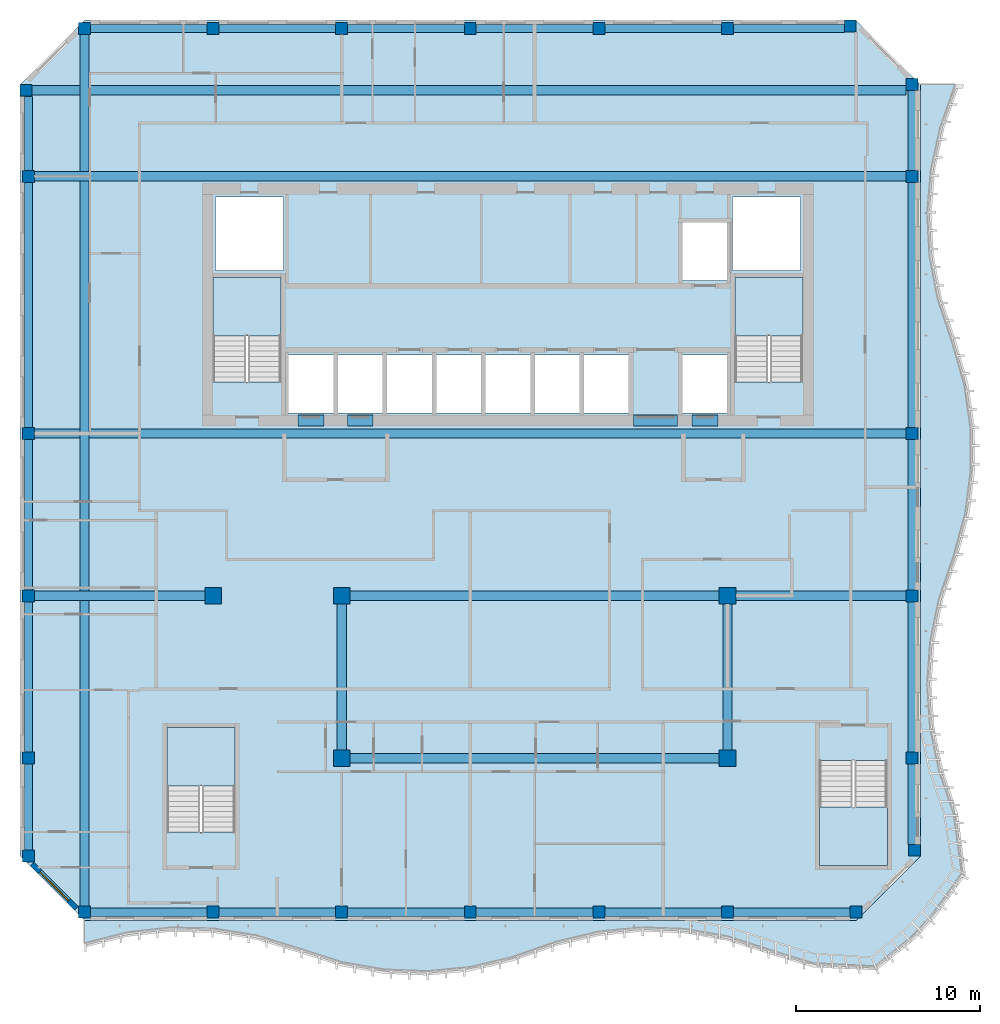
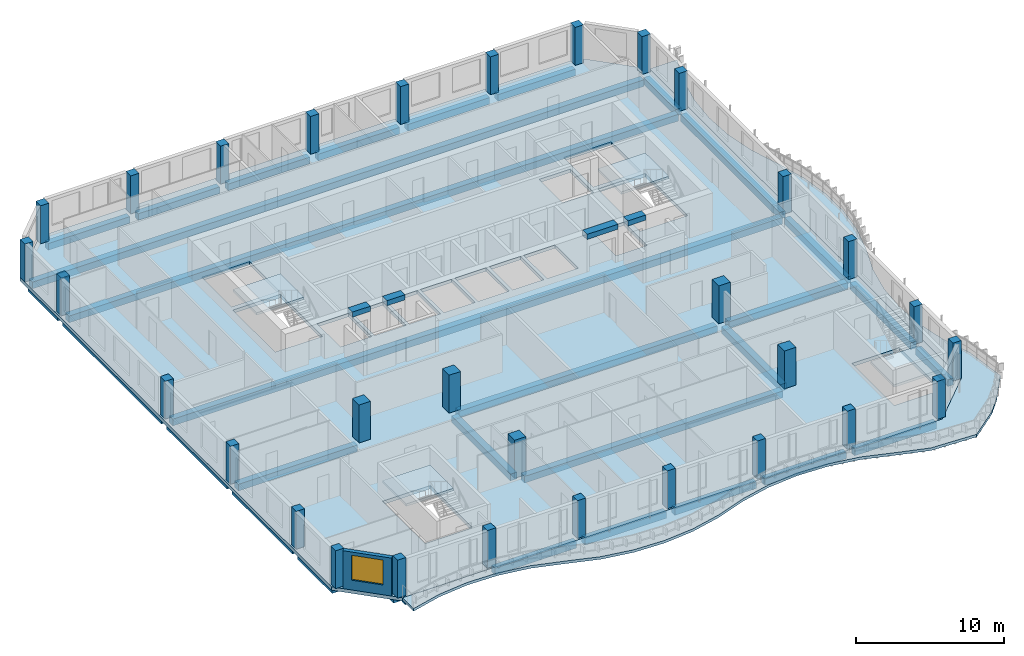
# One storey, part 1 of 16: 36 beams, 31 columns, 6 slabs, 1 wall, 1 window, 1 opening, 4 elements without a shape of their own.
"""IFC4 building model written with IfcOpenShell, lengths in metres."""

from ifc_helpers import new_model, si_unit, direction, frame, frame_2d, origin, origin_2d, place, context, subcontext, project, spatial, polyline, rectangle, outline, extrude, source, transform, mapped, material, layer, layer_set, material_profile, profile_set, type_object, element, fill, aggregate, save


model = new_model("IFC4")

# Units and contexts
model_context = context("Model", 3, precision=1e-05, world=origin(), true_north=direction((0.0, 1.0)))
body_context = subcontext(model_context, "Body", "Model", "MODEL_VIEW")
ifc_project = project(units=[si_unit("LENGTHUNIT", "METRE"), si_unit("AREAUNIT", "SQUARE_METRE"), si_unit("VOLUMEUNIT", "CUBIC_METRE"), si_unit("PLANEANGLEUNIT", "RADIAN"), si_unit("MASSUNIT", "GRAM", prefix="KILO")], contexts=[model_context])

# Site, building, storey
site_placement = place(None, origin())
site = spatial("IfcSite", under=ifc_project, at=site_placement, CompositionType="ELEMENT")
building_placement = place(site_placement, origin())
building = spatial("IfcBuilding", under=site, at=building_placement, Name="Kilnfold Tower and Market Hall", CompositionType="ELEMENT")
storey_placement = place(building_placement, frame((0.0, 0.0, 284.0)))
storey = spatial("IfcBuildingStorey", under=building, at=storey_placement, Name="L70", CompositionType="ELEMENT", Elevation=284.0)

# Columns
ifc_material_1 = material(Name="Concrete C60", Category="concrete")
ifc_material_profile_1 = material_profile(ifc_material_1, rectangle(XDim=0.64990234375, YDim=0.64990234375, at=origin_2d()), Name="RC 650x650")
ifc_profile_set_1 = profile_set([ifc_material_profile_1], Name="Concrete C60")
column_type_1 = type_object("IfcColumnType", Name="COLUMN 650X650 C60", PredefinedType="COLUMN", material=ifc_profile_set_1)
shared_shape_1 = source(origin(), body_context, "Body", "SweptSolid", [
    extrude(rectangle(XDim=0.64990234375, YDim=0.64990234375, at=origin_2d()), origin(), (0.0, 0.0, 1.0), 3.1201171875),
])
for number, where, z_axis, x_axis, name in (
    (1, (-25.181884765625, 26.681884765625, 0.0), (0.0, 0.0, 1.0), (1.0, 0.0, 0.0), "Column C-B8-1G"),
    (2, (-25.050048828125, -15.0, 0.0), (0.0, 0.0, 1.0), (1.0, 0.0, 0.0), "Column C-B8-1B"),
    (3, (-25.050048828125, -9.666748046875, 0.0), (0.0, 0.0, 1.0), (1.0, 0.0, 0.0), "Column C-B8-1C"),
    (4, (-25.050048828125, -0.833251953125, 0.0), (0.0, 0.0, 1.0), (1.0, 0.0, 0.0), "Column C-B8-1D"),
    (5, (-25.050048828125, 8.0, 0.0), (0.0, 0.0, 1.0), (1.0, 0.0, 0.0), "Column C-B8-1E"),
    (6, (-25.050048828125, 22.0, 0.0), (0.0, 0.0, 1.0), (1.0, 0.0, 0.0), "Column C-B8-1F"),
    (7, (-22.0, -18.050048828125, 0.0), (0.0, 0.0, 1.0), (1.0, 0.0, 0.0), "Column C-B8-2A"),
    (8, (-22.0, 30.050048828125, 0.0), (0.0, 0.0, 1.0), (1.0, 0.0, 0.0), "Column C-B8-2H"),
    (9, (-15.0, -18.050048828125, 0.0), (0.0, 0.0, 1.0), (1.0, 0.0, 0.0), "Column C-B8-3A"),
    (10, (-15.0, 30.050048828125, 0.0), (0.0, 0.0, 1.0), (1.0, 0.0, 0.0), "Column C-B8-3H"),
    (11, (-8.0, -18.050048828125, 0.0), (0.0, 0.0, 1.0), (1.0, 0.0, 0.0), "Column C-B8-4A"),
    (12, (-8.0, 30.050048828125, 0.0), (0.0, 0.0, 1.0), (1.0, 0.0, 0.0), "Column C-B8-4H"),
    (13, (-1.0, -18.050048828125, 0.0), (0.0, 0.0, 1.0), (1.0, 0.0, 0.0), "Column C-B8-5A"),
    (14, (-1.0, 30.050048828125, 0.0), (0.0, 0.0, 1.0), (1.0, 0.0, 0.0), "Column C-B8-5H"),
    (15, (6.0, -18.050048828125, 0.0), (0.0, 0.0, 1.0), (1.0, 0.0, 0.0), "Column C-B8-6A"),
    (16, (6.0, 30.050048828125, 0.0), (0.0, 0.0, 1.0), (1.0, 0.0, 0.0), "Column C-B8-6H"),
    (17, (13.0, -18.050048828125, 0.0), (0.0, 0.0, 1.0), (1.0, 0.0, 0.0), "Column C-B8-7A"),
    (18, (13.0, 30.050048828125, 0.0), (0.0, 0.0, 1.0), (1.0, 0.0, 0.0), "Column C-B8-7H"),
    (19, (19.681884765625, 30.181884765625, 0.0), (0.0, 0.0, 1.0), (1.0, 0.0, 0.0), "Column C-B8-8H"),
    (20, (20.0, -18.050048828125, 0.0), (0.0, 0.0, 1.0), (1.0, 0.0, 0.0), "Column C-B8-8A"),
    (21, (23.050048828125, -9.666748046875, 0.0), (0.0, 0.0, 1.0), (1.0, 0.0, 0.0), "Column C-B8-9C"),
    (22, (23.050048828125, -0.833251953125, 0.0), (0.0, 0.0, 1.0), (1.0, 0.0, 0.0), "Column C-B8-9D"),
    (23, (23.050048828125, 8.0, 0.0), (0.0, 0.0, 1.0), (1.0, 0.0, 0.0), "Column C-B8-9E"),
    (24, (23.050048828125, 22.0, 0.0), (0.0, 0.0, 1.0), (1.0, 0.0, 0.0), "Column C-B8-9F"),
    (25, (23.050048828125, 27.0, 0.0), (0.0, 0.0, 1.0), (1.0, 0.0, 0.0), "Column C-B8-9G"),
    (26, (23.181884765625, -14.681884765625, 0.0), (0.0, 0.0, 1.0), (1.0, 0.0, 0.0), "Column C-B8-9B"),
):
    element("IfcColumn", number, at=place(storey_placement, frame(where, z_axis=z_axis, x_axis=x_axis)), inside=storey, type_object=column_type_1, Name=name, PredefinedType="COLUMN", context=body_context, shape_type="MappedRepresentation", body=[
        mapped(shared_shape_1, transform((0.0, 0.0, 0.0))),
    ])
ifc_material_2 = material(Name="Concrete C60", Category="concrete")
ifc_material_profile_2 = material_profile(ifc_material_2, rectangle(XDim=0.89990234375, YDim=0.89990234375, at=origin_2d()), Name="RC 900x900")
ifc_profile_set_2 = profile_set([ifc_material_profile_2], Name="Concrete C60")
column_type_2 = type_object("IfcColumnType", Name="COLUMN 900X900 C60", PredefinedType="COLUMN", material=ifc_profile_set_2)
shared_shape_2 = source(origin(), body_context, "Body", "SweptSolid", [
    extrude(rectangle(XDim=0.89990234375, YDim=0.89990234375, at=origin_2d()), origin(), (0.0, 0.0, 1.0), 3.1201171875),
])
for number, where, z_axis, x_axis, name in (
    (27, (-15.0, -0.833251953125, 0.0), (0.0, 0.0, 1.0), (1.0, 0.0, 0.0), "Column C-B8-3D"),
    (28, (-8.0, -9.666748046875, 0.0), (0.0, 0.0, 1.0), (1.0, 0.0, 0.0), "Column C-B8-4C"),
    (29, (-8.0, -0.833251953125, 0.0), (0.0, 0.0, 1.0), (1.0, 0.0, 0.0), "Column C-B8-4D"),
    (30, (13.0, -9.666748046875, 0.0), (0.0, 0.0, 1.0), (1.0, 0.0, 0.0), "Column C-B8-7C"),
    (31, (13.0, -0.833251953125, 0.0), (0.0, 0.0, 1.0), (1.0, 0.0, 0.0), "Column C-B8-7D"),
):
    element("IfcColumn", number, at=place(storey_placement, frame(where, z_axis=z_axis, x_axis=x_axis)), inside=storey, type_object=column_type_2, Name=name, PredefinedType="COLUMN", context=body_context, shape_type="MappedRepresentation", body=[
        mapped(shared_shape_2, transform((0.0, 0.0, 0.0))),
    ])

# Beams
ifc_material_3 = material(Name="Concrete C50", Category="concrete")
ifc_material_profile_3 = material_profile(ifc_material_3, rectangle(XDim=0.60009765625, YDim=0.419921875, at=origin_2d()), Name="RC 600x420")
ifc_profile_set_3 = profile_set([ifc_material_profile_3], Name="Concrete C50")
beam_type_1 = type_object("IfcBeamType", Name="COUPLING BEAM 600X420 C50", PredefinedType="BEAM", material=ifc_profile_set_3)
shared_shape_3 = source(origin(), body_context, "Body", "SweptSolid", [
    extrude(rectangle(XDim=0.60009765625, YDim=0.419921875, at=origin_2d()), origin(), (0.0, 0.0, 1.0), 1.400146484375),
])
beam_1_placement = place(storey_placement, frame((-10.3701171875, 8.699951171875, 2.909912109375), z_axis=(1.0, 0.0, 0.0), x_axis=(0.0, 1.0, 0.0)))
element("IfcBeam", 32, at=beam_1_placement, inside=storey, type_object=beam_type_1, Name="Coupling beam CB420-50-CORE.30", PredefinedType="BEAM", context=body_context, shape_type="MappedRepresentation", body=[
    mapped(shared_shape_3, transform((0.0, 0.0, 0.0))),
])
shared_shape_4 = source(origin(), body_context, "Body", "SweptSolid", [
    extrude(rectangle(XDim=0.60009765625, YDim=0.419921875, at=origin_2d()), origin(), (0.0, 0.0, 1.0), 1.39990234375),
])
for number, where, z_axis, x_axis, name in (
    (33, (-7.68994140625, 8.699951171875, 2.909912109375), (1.0, 0.0, 0.0), (0.0, 1.0, 0.0), "Coupling beam CB420-50-CORE.31"),
    (34, (11.070068359375, 8.699951171875, 2.909912109375), (1.0, 0.0, 0.0), (0.0, 1.0, 0.0), "Coupling beam CB420-50-CORE.33"),
):
    element("IfcBeam", number, at=place(storey_placement, frame(where, z_axis=z_axis, x_axis=x_axis)), inside=storey, type_object=beam_type_1, Name=name, PredefinedType="BEAM", context=body_context, shape_type="MappedRepresentation", body=[
        mapped(shared_shape_4, transform((0.0, 0.0, 0.0))),
    ])
shared_shape_5 = source(origin(), body_context, "Body", "SweptSolid", [
    extrude(rectangle(XDim=0.60009765625, YDim=0.419921875, at=origin_2d()), origin(), (0.0, 0.0, 1.0), 2.400146484375),
])
beam_2_placement = place(storey_placement, frame((7.889892578125, 8.699951171875, 2.909912109375), z_axis=(1.0, 0.0, 0.0), x_axis=(0.0, 1.0, 0.0)))
element("IfcBeam", 35, at=beam_2_placement, inside=storey, type_object=beam_type_1, Name="Coupling beam CB420-50-CORE.32", PredefinedType="BEAM", context=body_context, shape_type="MappedRepresentation", body=[
    mapped(shared_shape_5, transform((0.0, 0.0, 0.0))),
])
ifc_material_4 = material(Name="Concrete C45", Category="concrete")
ifc_material_profile_4 = material_profile(ifc_material_4, rectangle(XDim=0.449951171875, YDim=0.550048828125, at=origin_2d()), Name="RC 450x550")
ifc_profile_set_4 = profile_set([ifc_material_profile_4], Name="Concrete C45")
beam_type_2 = type_object("IfcBeamType", Name="EDGE BEAM 450X550 C45", PredefinedType="BEAM", material=ifc_profile_set_4)
shared_shape_6 = source(origin(), body_context, "Body", "SweptSolid", [
    extrude(rectangle(XDim=0.449951171875, YDim=0.550048828125, at=origin_2d()), origin(), (0.0, 0.0, 1.0), 6.35009765625),
])
for number, where, z_axis, x_axis, name in (
    (36, (-21.675048828125, -18.050048828125, -0.554931640625), (1.0, 0.0, 0.0), (0.0, 1.0, 0.0), "Beam EB550-B8.31"),
    (37, (-14.675048828125, -18.050048828125, -0.554931640625), (1.0, 0.0, 0.0), (0.0, 1.0, 0.0), "Beam EB550-B8.32"),
    (38, (-7.675048828125, -18.050048828125, -0.554931640625), (1.0, 0.0, 0.0), (0.0, 1.0, 0.0), "Beam EB550-B8.33"),
    (39, (-0.675048828125, -18.050048828125, -0.554931640625), (1.0, 0.0, 0.0), (0.0, 1.0, 0.0), "Beam EB550-B8.34"),
    (40, (6.324951171875, -18.050048828125, -0.554931640625), (1.0, 0.0, 0.0), (0.0, 1.0, 0.0), "Beam EB550-B8.35"),
    (41, (13.324951171875, -18.050048828125, -0.554931640625), (1.0, 0.0, 0.0), (0.0, 1.0, 0.0), "Beam EB550-B8.36"),
    (42, (-21.675048828125, 30.050048828125, -0.554931640625), (1.0, 0.0, 0.0), (0.0, 1.0, 0.0), "Beam EB550-B8.44"),
    (43, (-14.675048828125, 30.050048828125, -0.554931640625), (1.0, 0.0, 0.0), (0.0, 1.0, 0.0), "Beam EB550-B8.45"),
    (44, (-7.675048828125, 30.050048828125, -0.554931640625), (1.0, 0.0, 0.0), (0.0, 1.0, 0.0), "Beam EB550-B8.46"),
    (45, (-0.675048828125, 30.050048828125, -0.554931640625), (1.0, 0.0, 0.0), (0.0, 1.0, 0.0), "Beam EB550-B8.47"),
    (46, (6.324951171875, 30.050048828125, -0.554931640625), (1.0, 0.0, 0.0), (0.0, 1.0, 0.0), "Beam EB550-B8.48"),
):
    element("IfcBeam", number, at=place(storey_placement, frame(where, z_axis=z_axis, x_axis=x_axis)), inside=storey, type_object=beam_type_2, Name=name, PredefinedType="BEAM", context=body_context, shape_type="MappedRepresentation", body=[
        mapped(shared_shape_6, transform((0.0, 0.0, 0.0))),
    ])
ifc_material_5 = material(Name="Concrete C45", Category="concrete")
ifc_material_profile_5 = material_profile(ifc_material_5, rectangle(XDim=0.5, YDim=0.550048828125, at=origin_2d()), Name="RC 500x550")
ifc_profile_set_5 = profile_set([ifc_material_profile_5], Name="Concrete C45")
beam_type_3 = type_object("IfcBeamType", Name="BEAM 500X550 C45", PredefinedType="BEAM", material=ifc_profile_set_5)
shared_shape_7 = source(origin(), body_context, "Body", "SweptSolid", [
    extrude(rectangle(XDim=0.5, YDim=0.550048828125, at=origin_2d()), origin(), (0.0, 0.0, 1.0), 20.10009765625),
])
for number, where, z_axis, x_axis, name in (
    (47, (-7.550048828125, -9.669921875, -0.554931640625), (1.0, 0.0, 0.0), (0.0, 1.0, 0.0), "Beam BB550-B8.37"),
    (48, (-7.550048828125, -0.830078125, -0.554931640625), (1.0, 0.0, 0.0), (0.0, 1.0, 0.0), "Beam BB550-B8.39"),
):
    element("IfcBeam", number, at=place(storey_placement, frame(where, z_axis=z_axis, x_axis=x_axis)), inside=storey, type_object=beam_type_3, Name=name, PredefinedType="BEAM", context=body_context, shape_type="MappedRepresentation", body=[
        mapped(shared_shape_7, transform((0.0, 0.0, 0.0))),
    ])
shared_shape_8 = source(origin(), body_context, "Body", "SweptSolid", [
    extrude(rectangle(XDim=0.5, YDim=0.550048828125, at=origin_2d()), origin(), (0.0, 0.0, 1.0), 9.275146484375),
])
for number, where, z_axis, x_axis, name in (
    (49, (-24.72509765625, -0.830078125, -0.554931640625), (1.0, 0.0, 0.0), (0.0, 1.0, 0.0), "Beam BB550-B8.38"),
    (50, (13.449951171875, -0.830078125, -0.554931640625), (1.0, 0.0, 0.0), (0.0, 1.0, 0.0), "Beam BB550-B8.40"),
):
    element("IfcBeam", number, at=place(storey_placement, frame(where, z_axis=z_axis, x_axis=x_axis)), inside=storey, type_object=beam_type_3, Name=name, PredefinedType="BEAM", context=body_context, shape_type="MappedRepresentation", body=[
        mapped(shared_shape_8, transform((0.0, 0.0, 0.0))),
    ])
shared_shape_9 = source(origin(), body_context, "Body", "SweptSolid", [
    extrude(rectangle(XDim=0.5, YDim=0.550048828125, at=origin_2d()), origin(), (0.0, 0.0, 1.0), 47.4501953125),
])
for number, where, z_axis, x_axis, name in (
    (51, (-24.72509765625, 8.0, -0.554931640625), (1.0, 0.0, 0.0), (0.0, 1.0, 0.0), "Beam BB550-B8.41"),
    (52, (-24.72509765625, 22.0, -0.554931640625), (1.0, 0.0, 0.0), (0.0, 1.0, 0.0), "Beam BB550-B8.42"),
    (53, (-22.0, -17.72509765625, -0.554931640625), (0.0, 1.0, 0.0), (-1.0, 0.0, 0.0), "Beam BB550-B8.55"),
):
    element("IfcBeam", number, at=place(storey_placement, frame(where, z_axis=z_axis, x_axis=x_axis)), inside=storey, type_object=beam_type_3, Name=name, PredefinedType="BEAM", context=body_context, shape_type="MappedRepresentation", body=[
        mapped(shared_shape_9, transform((0.0, 0.0, 0.0))),
    ])
shared_shape_10 = source(origin(), body_context, "Body", "SweptSolid", [
    extrude(rectangle(XDim=0.5, YDim=0.550048828125, at=origin_2d()), origin(), (0.0, 0.0, 1.0), 47.581787109375),
])
beam_3_placement = place(storey_placement, frame((-24.856689453125, 26.679931640625, -0.554931640625), z_axis=(1.0, 0.0, 0.0), x_axis=(0.0, 1.0, 0.0)))
element("IfcBeam", 54, at=beam_3_placement, inside=storey, type_object=beam_type_3, Name="Beam BB550-B8.43", PredefinedType="BEAM", context=body_context, shape_type="MappedRepresentation", body=[
    mapped(shared_shape_10, transform((0.0, 0.0, 0.0))),
])
shared_shape_11 = source(origin(), body_context, "Body", "SweptSolid", [
    extrude(rectangle(XDim=0.449951171875, YDim=0.550048828125, at=origin_2d()), origin(), (0.0, 0.0, 1.0), 6.03173828125),
])
beam_4_placement = place(storey_placement, frame((13.324951171875, 30.050048828125, -0.554931640625), z_axis=(1.0, 0.0, 0.0), x_axis=(0.0, 1.0, 0.0)))
element("IfcBeam", 55, at=beam_4_placement, inside=storey, type_object=beam_type_2, Name="Beam EB550-B8.49", PredefinedType="BEAM", context=body_context, shape_type="MappedRepresentation", body=[
    mapped(shared_shape_11, transform((0.0, 0.0, 0.0))),
])
shared_shape_12 = source(origin(), body_context, "Body", "SweptSolid", [
    extrude(rectangle(XDim=0.449951171875, YDim=0.550048828125, at=origin_2d()), origin(), (0.0, 0.0, 1.0), 4.683349609375),
])
beam_5_placement = place(storey_placement, frame((-25.050048828125, -14.675048828125, -0.554931640625), z_axis=(0.0, 1.0, 0.0), x_axis=(-1.0, 0.0, 0.0)))
element("IfcBeam", 56, at=beam_5_placement, inside=storey, type_object=beam_type_2, Name="Beam EB550-B8.50", PredefinedType="BEAM", context=body_context, shape_type="MappedRepresentation", body=[
    mapped(shared_shape_12, transform((0.0, 0.0, 0.0))),
])
shared_shape_13 = source(origin(), body_context, "Body", "SweptSolid", [
    extrude(rectangle(XDim=0.449951171875, YDim=0.550048828125, at=origin_2d()), origin(), (0.0, 0.0, 1.0), 8.18359375),
])
for number, where, z_axis, x_axis, name in (
    (57, (-25.050048828125, -9.341796875, -0.554931640625), (0.0, 1.0, 0.0), (-1.0, 0.0, 0.0), "Beam EB550-B8.51"),
    (58, (23.050048828125, -9.341796875, -0.554931640625), (0.0, 1.0, 0.0), (-1.0, 0.0, 0.0), "Beam EB550-B8.57"),
):
    element("IfcBeam", number, at=place(storey_placement, frame(where, z_axis=z_axis, x_axis=x_axis)), inside=storey, type_object=beam_type_2, Name=name, PredefinedType="BEAM", context=body_context, shape_type="MappedRepresentation", body=[
        mapped(shared_shape_13, transform((0.0, 0.0, 0.0))),
    ])
shared_shape_14 = source(origin(), body_context, "Body", "SweptSolid", [
    extrude(rectangle(XDim=0.449951171875, YDim=0.550048828125, at=origin_2d()), origin(), (0.0, 0.0, 1.0), 8.183349609375),
])
for number, where, z_axis, x_axis, name in (
    (59, (-25.050048828125, -0.50830078125, -0.554931640625), (0.0, 1.0, 0.0), (-1.0, 0.0, 0.0), "Beam EB550-B8.52"),
    (60, (23.050048828125, -0.50830078125, -0.554931640625), (0.0, 1.0, 0.0), (-1.0, 0.0, 0.0), "Beam EB550-B8.58"),
):
    element("IfcBeam", number, at=place(storey_placement, frame(where, z_axis=z_axis, x_axis=x_axis)), inside=storey, type_object=beam_type_2, Name=name, PredefinedType="BEAM", context=body_context, shape_type="MappedRepresentation", body=[
        mapped(shared_shape_14, transform((0.0, 0.0, 0.0))),
    ])
shared_shape_15 = source(origin(), body_context, "Body", "SweptSolid", [
    extrude(rectangle(XDim=0.449951171875, YDim=0.550048828125, at=origin_2d()), origin(), (0.0, 0.0, 1.0), 13.35009765625),
])
for number, where, z_axis, x_axis, name in (
    (61, (-25.050048828125, 8.324951171875, -0.554931640625), (0.0, 1.0, 0.0), (-1.0, 0.0, 0.0), "Beam EB550-B8.53"),
    (62, (23.050048828125, 8.324951171875, -0.554931640625), (0.0, 1.0, 0.0), (-1.0, 0.0, 0.0), "Beam EB550-B8.59"),
):
    element("IfcBeam", number, at=place(storey_placement, frame(where, z_axis=z_axis, x_axis=x_axis)), inside=storey, type_object=beam_type_2, Name=name, PredefinedType="BEAM", context=body_context, shape_type="MappedRepresentation", body=[
        mapped(shared_shape_15, transform((0.0, 0.0, 0.0))),
    ])
shared_shape_16 = source(origin(), body_context, "Body", "SweptSolid", [
    extrude(rectangle(XDim=0.449951171875, YDim=0.550048828125, at=origin_2d()), origin(), (0.0, 0.0, 1.0), 4.03173828125),
])
beam_6_placement = place(storey_placement, frame((-25.050048828125, 22.324951171875, -0.554931640625), z_axis=(0.0, 1.0, 0.0), x_axis=(-1.0, 0.0, 0.0)))
element("IfcBeam", 63, at=beam_6_placement, inside=storey, type_object=beam_type_2, Name="Beam EB550-B8.54", PredefinedType="BEAM", context=body_context, shape_type="MappedRepresentation", body=[
    mapped(shared_shape_16, transform((0.0, 0.0, 0.0))),
])
shared_shape_17 = source(origin(), body_context, "Body", "SweptSolid", [
    extrude(rectangle(XDim=0.5, YDim=0.550048828125, at=origin_2d()), origin(), (0.0, 0.0, 1.0), 7.93359375),
])
for number, where, z_axis, x_axis, name in (
    (64, (-8.0, -9.216796875, -0.554931640625), (0.0, 1.0, 0.0), (-1.0, 0.0, 0.0), "Beam BB550-B8.24"),
    (65, (13.0, -9.216796875, -0.554931640625), (0.0, 1.0, 0.0), (-1.0, 0.0, 0.0), "Beam BB550-B8.25"),
):
    element("IfcBeam", number, at=place(storey_placement, frame(where, z_axis=z_axis, x_axis=x_axis)), inside=storey, type_object=beam_type_3, Name=name, PredefinedType="BEAM", context=body_context, shape_type="MappedRepresentation", body=[
        mapped(shared_shape_17, transform((0.0, 0.0, 0.0))),
    ])
shared_shape_18 = source(origin(), body_context, "Body", "SweptSolid", [
    extrude(rectangle(XDim=0.449951171875, YDim=0.550048828125, at=origin_2d()), origin(), (0.0, 0.0, 1.0), 4.364990234375),
])
beam_7_placement = place(storey_placement, frame((23.050048828125, -14.356689453125, -0.554931640625), z_axis=(0.0, 1.0, 0.0), x_axis=(-1.0, 0.0, 0.0)))
element("IfcBeam", 66, at=beam_7_placement, inside=storey, type_object=beam_type_2, Name="Beam EB550-B8.56", PredefinedType="BEAM", context=body_context, shape_type="MappedRepresentation", body=[
    mapped(shared_shape_18, transform((0.0, 0.0, 0.0))),
])
shared_shape_19 = source(origin(), body_context, "Body", "SweptSolid", [
    extrude(rectangle(XDim=0.449951171875, YDim=0.550048828125, at=origin_2d()), origin(), (0.0, 0.0, 1.0), 4.35009765625),
])
beam_8_placement = place(storey_placement, frame((23.050048828125, 22.324951171875, -0.554931640625), z_axis=(0.0, 1.0, 0.0), x_axis=(-1.0, 0.0, 0.0)))
element("IfcBeam", 67, at=beam_8_placement, inside=storey, type_object=beam_type_2, Name="Beam EB550-B8.60", PredefinedType="BEAM", context=body_context, shape_type="MappedRepresentation", body=[
    mapped(shared_shape_19, transform((0.0, 0.0, 0.0))),
])

# Slabs
ifc_material_6 = material(Name="Concrete C45", Category="concrete")
ifc_layer_1 = layer(ifc_material_6, 0.280029296875)
ifc_layer_set_1 = layer_set([ifc_layer_1], Name="Concrete C45")
slab_type_1 = type_object("IfcSlabType", Name="FLOOR SLAB 280", PredefinedType="FLOOR", material=ifc_layer_set_1)
shared_shape_20 = source(origin(), body_context, "Body", "SweptSolid", [
    extrude(outline(polyline([(-22.0, -18.5), (20.0, -18.5), (23.5, -15.0), (23.5, 27.0), (20.0, 30.5), (-22.0, 30.5), (-25.5, 27.0), (-25.5, -15.0), (-22.0, -18.5)]), holes=[polyline([(-13.800537109375, -8.00048828125), (-13.800537109375, -13.699462890625), (-17.49951171875, -13.699462890625), (-17.49951171875, -8.00048828125), (-13.800537109375, -8.00048828125)]), polyline([(-11.300537109375, 10.800537109375), (-14.99951171875, 10.800537109375), (-14.99951171875, 16.49951171875), (-11.300537109375, 16.49951171875), (-11.300537109375, 10.800537109375)]), polyline([(-11.175048828125, 16.875), (-14.875, 16.875), (-14.875, 20.875), (-11.175048828125, 20.875), (-11.175048828125, 16.875)]), polyline([(-8.455078125, 9.125), (-10.885009765625, 9.125), (-10.885009765625, 12.27490234375), (-8.455078125, 12.27490234375), (-8.455078125, 9.125)]), polyline([(-5.77490234375, 9.125), (-8.205078125, 9.125), (-8.205078125, 12.27490234375), (-5.77490234375, 12.27490234375), (-5.77490234375, 9.125)]), polyline([(-3.094970703125, 9.125), (-5.52490234375, 9.125), (-5.52490234375, 12.27490234375), (-3.094970703125, 12.27490234375), (-3.094970703125, 9.125)]), polyline([(-0.4150390625, 9.125), (-2.844970703125, 9.125), (-2.844970703125, 12.27490234375), (-0.4150390625, 12.27490234375), (-0.4150390625, 9.125)]), polyline([(2.264892578125, 9.125), (-0.1650390625, 9.125), (-0.1650390625, 12.27490234375), (2.264892578125, 12.27490234375), (2.264892578125, 9.125)]), polyline([(4.945068359375, 9.125), (2.514892578125, 9.125), (2.514892578125, 12.27490234375), (4.945068359375, 12.27490234375), (4.945068359375, 9.125)]), polyline([(7.625, 9.125), (5.195068359375, 9.125), (5.195068359375, 12.27490234375), (7.625, 12.27490234375), (7.625, 9.125)]), polyline([(12.985107421875, 9.125), (10.554931640625, 9.125), (10.554931640625, 12.27490234375), (12.985107421875, 12.27490234375), (12.985107421875, 9.125)]), polyline([(12.985107421875, 16.324951171875), (10.554931640625, 16.324951171875), (10.554931640625, 19.47509765625), (12.985107421875, 19.47509765625), (12.985107421875, 16.324951171875)]), polyline([(16.97509765625, 16.875), (13.27490234375, 16.875), (13.27490234375, 20.875), (16.97509765625, 20.875), (16.97509765625, 16.875)]), polyline([(17.099609375, 10.800537109375), (13.400390625, 10.800537109375), (13.400390625, 16.49951171875), (17.099609375, 16.49951171875), (17.099609375, 10.800537109375)]), polyline([(18.00048828125, -9.800537109375), (21.699462890625, -9.800537109375), (21.699462890625, -15.49951171875), (18.00048828125, -15.49951171875), (18.00048828125, -9.800537109375)])]), origin(), (0.0, 0.0, 1.0), 0.280029296875),
])
slab_1_placement = place(storey_placement, frame((0.0, 0.0, -0.280029296875)))
element("IfcSlab", 68, at=slab_1_placement, inside=storey, type_object=slab_type_1, Name="Floor slab L70", PredefinedType="FLOOR", context=body_context, shape_type="MappedRepresentation", body=[
    mapped(shared_shape_20, transform((0.0, 0.0, 0.0))),
])
ifc_material_7 = material(Name="Concrete C40/50", Category="concrete")
ifc_layer_2 = layer(ifc_material_7, 0.219970703125)
ifc_layer_set_2 = layer_set([ifc_layer_2], Name="Concrete C40/50")
slab_type_2 = type_object("IfcSlabType", Name="BALCONY SLAB 220", PredefinedType="FLOOR", material=ifc_layer_set_2)
shared_shape_21 = source(origin(), body_context, "Body", "SweptSolid", [
    extrude(outline(polyline([(-22.0, -18.5), (20.0, -18.5), (23.5, -15.0), (23.5, 27.0), (25.626953125, 27.0), (24.8115234375, 24.666748046875), (24.294189453125, 22.333251953125), (24.10205078125, 20.0), (24.2236328125, 17.666748046875), (24.666259765625, 15.333251953125), (25.44580078125, 13.0), (26.116455078125, 10.666748046875), (26.451416015625, 8.333251953125), (26.469482421875, 6.0), (26.171875, 3.666748046875), (25.54150390625, 1.333251953125), (24.7392578125, -1.0), (24.25830078125, -3.333251953125), (24.10009765625, -5.666748046875), (24.255859375, -8.0), (24.734375, -10.333251953125), (25.535400390625, -12.666748046875), (25.96533203125, -16.021240234375), (24.3935546875, -18.226806640625), (23.287841796875, -19.45458984375), (21.12109375, -21.206298828125), (17.666748046875, -21.0576171875), (15.333251953125, -20.346435546875), (13.0, -19.59912109375), (10.666748046875, -19.19384765625), (8.333251953125, -19.10791015625), (6.0, -19.33642578125), (3.666748046875, -19.89208984375), (1.333251953125, -20.7119140625), (-1.0, -21.265869140625), (-3.333251953125, -21.492431640625), (-5.666748046875, -21.40478515625), (-8.0, -20.997802734375), (-10.333251953125, -20.24853515625), (-12.666748046875, -19.539306640625), (-15.0, -19.16943359375), (-17.333251953125, -19.117431640625), (-19.666748046875, -19.38037109375), (-22.0, -19.97314453125), (-22.0, -18.5)])), origin(), (0.0, 0.0, 1.0), 0.219970703125),
])
slab_2_placement = place(storey_placement, frame((0.0, 0.0, -0.219970703125)))
element("IfcSlab", 69, at=slab_2_placement, inside=storey, type_object=slab_type_2, Name="Balcony slab L70", PredefinedType="FLOOR", context=body_context, shape_type="MappedRepresentation", body=[
    mapped(shared_shape_21, transform((0.0, 0.0, 0.0))),
])

# Stair, slab
ifc_material_8 = material(Name="Concrete C40/50", Category="concrete")
stair_type = type_object("IfcStairType", Name="CORE STAIR 1800", PredefinedType="HALF_TURN_STAIR", material=ifc_material_8)
stair_1_placement = place(storey_placement, origin())
stair_1 = element("IfcStair", 70, at=stair_1_placement, inside=storey, type_object=stair_type, Name="L70 ST1", PredefinedType="HALF_TURN_STAIR")
ifc_material_9 = material(Name="Concrete C40/50", Category="concrete")
ifc_layer_3 = layer(ifc_material_9, 0.199951171875)
ifc_layer_set_3 = layer_set([ifc_layer_3], Name="Concrete C40/50")
slab_type_3 = type_object("IfcSlabType", Name="CORE STAIR LANDING 200", PredefinedType="LANDING", material=ifc_layer_set_3)
shared_shape_22 = source(origin(), body_context, "Body", "SweptSolid", [
    extrude(outline(polyline([(-11.300048828125, 13.320068359375), (-11.300048828125, 16.5), (-15.0, 16.5), (-15.0, 13.320068359375), (-11.300048828125, 13.320068359375)])), origin(), (0.0, 0.0, 1.0), 0.199951171875),
])
slab_3_placement = place(storey_placement, frame((0.0, 0.0, 1.5)))
slab_3 = element("IfcSlab", 71, at=slab_3_placement, type_object=slab_type_3, Name="ST1 landing 1", PredefinedType="LANDING", context=body_context, shape_type="MappedRepresentation", body=[
    mapped(shared_shape_22, transform((0.0, 0.0, 0.0))),
])
aggregate(stair_1, [slab_3])

stair_2_placement = place(storey_placement, origin())
stair_2 = element("IfcStair", 72, at=stair_2_placement, inside=storey, type_object=stair_type, Name="L70 ST2", PredefinedType="HALF_TURN_STAIR")
shared_shape_23 = source(origin(), body_context, "Body", "SweptSolid", [
    extrude(outline(polyline([(17.10009765625, 13.320068359375), (17.10009765625, 16.5), (13.39990234375, 16.5), (13.39990234375, 13.320068359375), (17.10009765625, 13.320068359375)])), origin(), (0.0, 0.0, 1.0), 0.199951171875),
])
slab_4_placement = place(storey_placement, frame((0.0, 0.0, 1.5)))
slab_4 = element("IfcSlab", 73, at=slab_4_placement, type_object=slab_type_3, Name="ST2 landing 1", PredefinedType="LANDING", context=body_context, shape_type="MappedRepresentation", body=[
    mapped(shared_shape_23, transform((0.0, 0.0, 0.0))),
])
aggregate(stair_2, [slab_4])

stair_3_placement = place(storey_placement, origin())
stair_3 = element("IfcStair", 74, at=stair_3_placement, inside=storey, type_object=stair_type, Name="L70 ST3", PredefinedType="HALF_TURN_STAIR")
shared_shape_24 = source(origin(), body_context, "Body", "SweptSolid", [
    extrude(outline(polyline([(-13.800048828125, -11.179931640625), (-13.800048828125, -8.0), (-17.5, -8.0), (-17.5, -11.179931640625), (-13.800048828125, -11.179931640625)])), origin(), (0.0, 0.0, 1.0), 0.199951171875),
])
slab_5_placement = place(storey_placement, frame((0.0, 0.0, 1.5)))
slab_5 = element("IfcSlab", 75, at=slab_5_placement, type_object=slab_type_3, Name="ST3 landing 1", PredefinedType="LANDING", context=body_context, shape_type="MappedRepresentation", body=[
    mapped(shared_shape_24, transform((0.0, 0.0, 0.0))),
])
aggregate(stair_3, [slab_5])

stair_4_placement = place(storey_placement, origin())
stair_4 = element("IfcStair", 76, at=stair_4_placement, inside=storey, type_object=stair_type, Name="L70 ST4", PredefinedType="HALF_TURN_STAIR")
shared_shape_25 = source(origin(), body_context, "Body", "SweptSolid", [
    extrude(outline(polyline([(18.0, -12.320068359375), (18.0, -15.5), (21.699951171875, -15.5), (21.699951171875, -12.320068359375), (18.0, -12.320068359375)])), origin(), (0.0, 0.0, 1.0), 0.199951171875),
])
slab_6_placement = place(storey_placement, frame((0.0, 0.0, 1.5)))
slab_6 = element("IfcSlab", 77, at=slab_6_placement, type_object=slab_type_3, Name="ST4 landing 1", PredefinedType="LANDING", context=body_context, shape_type="MappedRepresentation", body=[
    mapped(shared_shape_25, transform((0.0, 0.0, 0.0))),
])
aggregate(stair_4, [slab_6])

# Wall, opening, window
ifc_material_10 = material(Name="Precast concrete C50/60", Category="concrete")
ifc_layer_4 = layer(ifc_material_10, 0.300048828125)
ifc_layer_set_4 = layer_set([ifc_layer_4], Name="Precast concrete C50/60")
wall_type = type_object("IfcWallType", Name="PRECAST WALL 300", PredefinedType="SOLIDWALL", material=ifc_layer_set_4)
shared_shape_26 = source(origin(), body_context, "Body", "SweptSolid", [
    extrude(rectangle(XDim=3.39404296875, YDim=0.300048828125, at=frame_2d((1.697021484375, 0.0))), origin(), (0.0, 0.0, 1.0), 3.1201171875),
])
wall_placement = place(storey_placement, frame((-24.843994140625, -15.44384765625, 0.0), z_axis=(0.0, 0.0, 1.0), x_axis=(0.707070815327, -0.707142745217, 0.0)))
wall = element("IfcWall", 78, at=wall_placement, inside=storey, type_object=wall_type, Name="External wall L70 SW", PredefinedType="SOLIDWALL", context=body_context, shape_type="MappedRepresentation", body=[
    mapped(shared_shape_26, transform((0.0, 0.0, 0.0))),
])
opening_placement = place(wall_placement, frame((0.596923828125, 0.0, 0.800048828125)))
opening = element("IfcOpeningElement", 79, at=opening_placement, cuts=wall, Name="Opening W3", PredefinedType="OPENING", context=body_context, shape_type="SweptSolid", body=[
    extrude(rectangle(XDim=2.199951171875, YDim=2.050048828125, at=frame_2d((1.10009765625, 1.02490234375))), frame((0.0, 0.16015625, 0.0), z_axis=(0.0, -1.0, 0.0), x_axis=(1.0, 0.0, 0.0)), (0.0, 0.0, 1.0), 0.320068359375),
])
ifc_material_11 = material(Name="Aluminium frame and double glazing", Category="aluminium")
window_type = type_object("IfcWindowType", Name="WINDOW W3 2200X2050", PartitioningType="SINGLE_PANEL", PredefinedType="WINDOW", material=ifc_material_11)
window_placement = place(opening_placement, origin())
window = element("IfcWindow", 80, at=window_placement, inside=storey, type_object=window_type, Name="Window W3 L70 SW-1", OverallHeight=2.050048828125, OverallWidth=2.199951171875, PartitioningType="SINGLE_PANEL", PredefinedType="WINDOW", context=body_context, shape_type="SweptSolid", body=[
    extrude(rectangle(XDim=2.199951171875, YDim=2.050048828125, at=frame_2d((1.10009765625, 1.02490234375))), frame((0.0, 0.030029296875, 0.0), z_axis=(0.0, -1.0, 0.0), x_axis=(1.0, 0.0, 0.0)), (0.0, 0.0, 1.0), 0.06005859375),
])
fill(opening, window)

save(model, "model.ifc")
